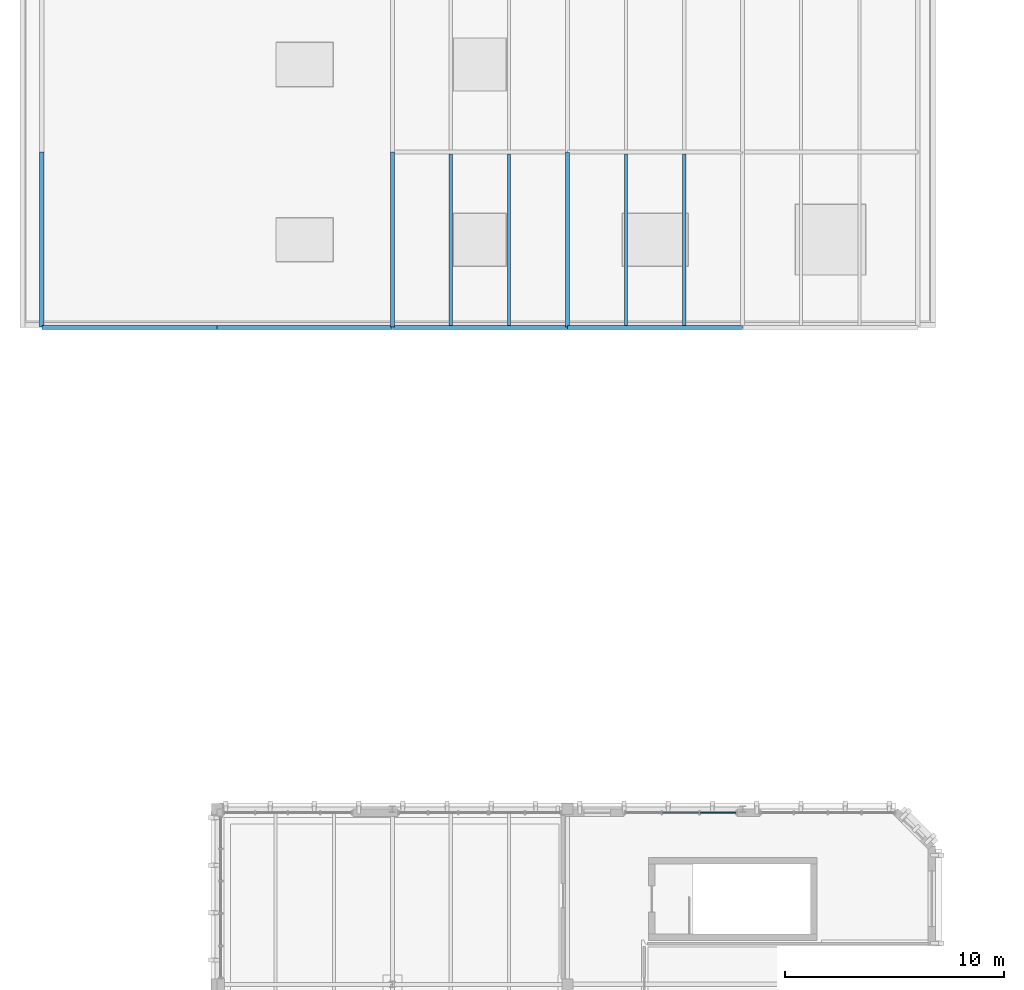
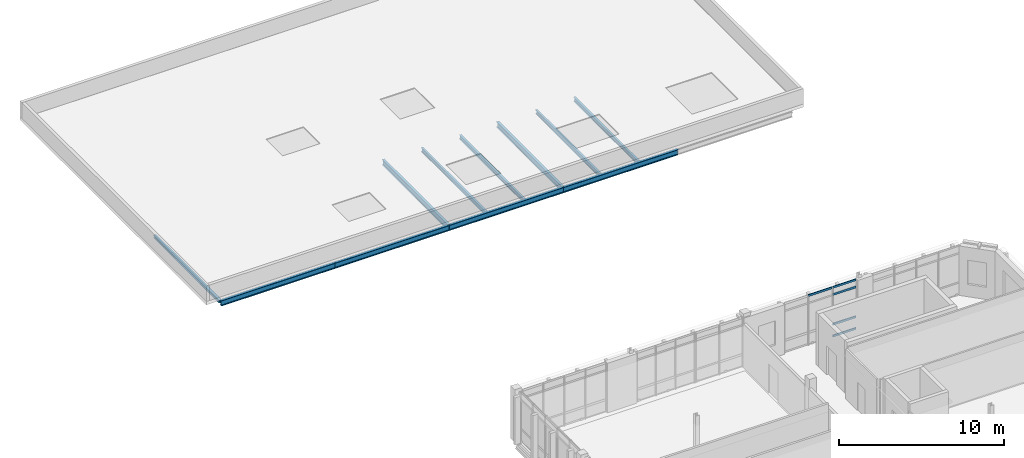
# One storey, part 7 of 28: 11 beams, 5 members, 1 element without a shape of its own.
"""IFC4 building model written with IfcOpenShell, lengths in metres."""

from ifc_helpers import new_model, si_unit, direction, frame, origin, origin_2d, place, context, subcontext, project, spatial, rectangle, i_section, extrude, material, material_profile, profile_set, type_object, element, aggregate, save


model = new_model("IFC4")

# Units and contexts
model_context = context("Model", 3, precision=1e-05, world=origin(), true_north=direction((0.0, 1.0)))
body_context = subcontext(model_context, "Body", "Model", "MODEL_VIEW")
ifc_project = project(units=[si_unit("LENGTHUNIT", "METRE"), si_unit("AREAUNIT", "SQUARE_METRE"), si_unit("VOLUMEUNIT", "CUBIC_METRE"), si_unit("PLANEANGLEUNIT", "RADIAN"), si_unit("MASSUNIT", "GRAM", prefix="KILO")], contexts=[model_context])

# Site, building, storey
site_placement = place(None, origin())
site = spatial("IfcSite", under=ifc_project, at=site_placement, CompositionType="ELEMENT")
building_placement = place(site_placement, origin())
building = spatial("IfcBuilding", under=site, at=building_placement, Name="Cymarion Research Institute", CompositionType="ELEMENT")
storey_placement = place(building_placement, frame((0.0, 0.0, 30.60009765625)))
storey = spatial("IfcBuildingStorey", under=building, at=storey_placement, Name="L07", CompositionType="ELEMENT", Elevation=30.60009765625)

# Curtain wall, members
ifc_material_1 = material(Name="Anodised aluminium unitised curtain wall with Low-E glazing", Category="aluminium")
curtain_wall_type = type_object("IfcCurtainWallType", Name="UNITISED CURTAIN WALL CW71 5150X3660", PredefinedType="NOTDEFINED", material=ifc_material_1)
curtain_wall_placement = place(storey_placement, origin())
curtain_wall = element("IfcCurtainWall", 1, at=curtain_wall_placement, inside=storey, type_object=curtain_wall_type, Name="L07 V4 unitised curtain wall CW71 #236", PredefinedType="NOTDEFINED")
ifc_material_2 = material(Name="Anodised aluminium framing", Category="aluminium")
ifc_material_profile_1 = material_profile(ifc_material_2, rectangle(XDim=0.06005859375, YDim=0.14990234375, at=origin_2d()), Name="ALU TRANSOM 60x150")
ifc_profile_set_1 = profile_set([ifc_material_profile_1], Name="Anodised aluminium framing")
member_type = type_object("IfcMemberType", Name="CURTAIN WALL TRANSOM TR01 60X150", PredefinedType="USERDEFINED", material=ifc_profile_set_1)
member_1_placement = place(storey_placement, frame((38.280029296875, 71.330078125, 0.02978515625), z_axis=(-1.0, 0.0, 0.0), x_axis=(0.0, -1.0, 0.0)))
member_1 = element("IfcMember", 2, at=member_1_placement, type_object=member_type, Name="CW71 transom 1.1", ObjectType="TRANSOM", PredefinedType="USERDEFINED", context=body_context, shape_type="SweptSolid", body=[
    extrude(rectangle(XDim=0.06005859375, YDim=0.14990234375, at=origin_2d()), origin(), (0.0, 0.0, 1.0), 1.6279296875),
])
member_2_placement = place(storey_placement, frame((38.280029296875, 71.330078125, 0.89990234375), z_axis=(-1.0, 0.0, 0.0), x_axis=(0.0, -1.0, 0.0)))
member_2 = element("IfcMember", 3, at=member_2_placement, type_object=member_type, Name="CW71 transom 1.2", ObjectType="TRANSOM", PredefinedType="USERDEFINED", context=body_context, shape_type="SweptSolid", body=[
    extrude(rectangle(XDim=0.06005859375, YDim=0.14990234375, at=origin_2d()), origin(), (0.0, 0.0, 1.0), 1.6279296875),
])
member_3_placement = place(storey_placement, frame((38.280029296875, 71.330078125, 3.10986328125), z_axis=(-1.0, 0.0, 0.0), x_axis=(0.0, -1.0, 0.0)))
member_3 = element("IfcMember", 4, at=member_3_placement, type_object=member_type, Name="CW71 transom 1.3", ObjectType="TRANSOM", PredefinedType="USERDEFINED", context=body_context, shape_type="SweptSolid", body=[
    extrude(rectangle(XDim=0.06005859375, YDim=0.14990234375, at=origin_2d()), origin(), (0.0, 0.0, 1.0), 1.6279296875),
])
member_4_placement = place(storey_placement, frame((38.280029296875, 71.330078125, 3.6298828125), z_axis=(-1.0, 0.0, 0.0), x_axis=(0.0, -1.0, 0.0)))
member_4 = element("IfcMember", 5, at=member_4_placement, type_object=member_type, Name="CW71 transom 1.4", ObjectType="TRANSOM", PredefinedType="USERDEFINED", context=body_context, shape_type="SweptSolid", body=[
    extrude(rectangle(XDim=0.06005859375, YDim=0.14990234375, at=origin_2d()), origin(), (0.0, 0.0, 1.0), 1.6279296875),
])
member_5_placement = place(storey_placement, frame((36.592041015625, 71.330078125, 3.6298828125), z_axis=(-1.0, 0.0, 0.0), x_axis=(0.0, -1.0, 0.0)))
member_5 = element("IfcMember", 6, at=member_5_placement, type_object=member_type, Name="CW71 transom 2.4", ObjectType="TRANSOM", PredefinedType="USERDEFINED", context=body_context, shape_type="SweptSolid", body=[
    extrude(rectangle(XDim=0.06005859375, YDim=0.14990234375, at=origin_2d()), origin(), (0.0, 0.0, 1.0), 1.657958984375),
])
aggregate(curtain_wall, [member_1, member_2, member_3, member_4, member_5])

# Beams
ifc_material_3 = material(Name="Steel S355", Category="steel")
ifc_material_profile_2 = material_profile(ifc_material_3, i_section(OverallWidth=0.179931640625, OverallDepth=0.39990234375, WebThickness=0.008544921875, FlangeThickness=0.013427734375, FilletRadius=0.02099609375, at=origin_2d()), Name="IPE 400")
ifc_profile_set_2 = profile_set([ifc_material_profile_2], Name="Steel S355")
beam_type_1 = type_object("IfcBeamType", Name="PRIMARY GIRDER BM05 IPE 400", PredefinedType="BEAM", material=ifc_profile_set_2)
for number, where, z_axis, x_axis, name in (
    (7, (6.60595703125, 93.5, -0.440185546875), (1.0, 0.0, 0.0), (0.0, 1.0, 0.0), "L07 V5 girder BM05 #2261"),
    (8, (14.60595703125, 93.5, -0.440185546875), (1.0, 0.0, 0.0), (0.0, 1.0, 0.0), "L07 V5 girder BM05 #2262"),
    (9, (22.60595703125, 93.5, -0.440185546875), (1.0, 0.0, 0.0), (0.0, 1.0, 0.0), "L07 V5 girder BM05 #2263"),
    (10, (30.60595703125, 93.5, -0.440185546875), (1.0, 0.0, 0.0), (0.0, 1.0, 0.0), "L07 V5 girder BM05 #2264"),
):
    element("IfcBeam", number, at=place(storey_placement, frame(where, z_axis=z_axis, x_axis=x_axis)), inside=storey, type_object=beam_type_1, Name=name, PredefinedType="BEAM", context=body_context, shape_type="SweptSolid", body=[
        extrude(i_section(OverallWidth=0.179931640625, OverallDepth=0.39990234375, WebThickness=0.008544921875, FlangeThickness=0.013427734375, FilletRadius=0.02099609375, at=origin_2d()), origin(), (0.0, 0.0, 1.0), 7.988037109375),
    ])
for number, where, z_axis, x_axis, name in (
    (11, (22.60009765625, 93.506103515625, -0.440185546875), (0.0, 1.0, 0.0), (-1.0, 0.0, 0.0), "L07 V5 girder BM05 #2283"),
    (12, (30.60009765625, 93.506103515625, -0.440185546875), (0.0, 1.0, 0.0), (-1.0, 0.0, 0.0), "L07 V5 girder BM05 #2286"),
):
    element("IfcBeam", number, at=place(storey_placement, frame(where, z_axis=z_axis, x_axis=x_axis)), inside=storey, type_object=beam_type_1, Name=name, PredefinedType="BEAM", context=body_context, shape_type="SweptSolid", body=[
        extrude(i_section(OverallWidth=0.179931640625, OverallDepth=0.39990234375, WebThickness=0.008544921875, FlangeThickness=0.013427734375, FilletRadius=0.02099609375, at=origin_2d()), origin(), (0.0, 0.0, 1.0), 7.98779296875),
    ])
ifc_material_profile_3 = material_profile(ifc_material_3, i_section(OverallWidth=0.14990234375, OverallDepth=0.300048828125, WebThickness=0.007080078125, FlangeThickness=0.0107421875, FilletRadius=0.014892578125, at=origin_2d()), Name="IPE 300")
ifc_profile_set_3 = profile_set([ifc_material_profile_3], Name="Steel S355")
beam_type_2 = type_object("IfcBeamType", Name="SECONDARY JOIST JS02 IPE 300", PredefinedType="JOIST", material=ifc_profile_set_3)
for number, where, z_axis, x_axis, name in (
    (13, (25.2666015625, 93.593994140625, -0.39013671875), (0.0, 1.0, 0.0), (-1.0, 0.0, 0.0), "L07 V5 secondary joist JS02 #2294"),
    (14, (27.933349609375, 93.593994140625, -0.39013671875), (0.0, 1.0, 0.0), (-1.0, 0.0, 0.0), "L07 V5 secondary joist JS02 #2295"),
    (15, (33.2666015625, 93.593994140625, -0.39013671875), (0.0, 1.0, 0.0), (-1.0, 0.0, 0.0), "L07 V5 secondary joist JS02 #2296"),
    (16, (35.933349609375, 93.593994140625, -0.39013671875), (0.0, 1.0, 0.0), (-1.0, 0.0, 0.0), "L07 V5 secondary joist JS02 #2297"),
):
    element("IfcBeam", number, at=place(storey_placement, frame(where, z_axis=z_axis, x_axis=x_axis)), inside=storey, type_object=beam_type_2, Name=name, PredefinedType="JOIST", context=body_context, shape_type="SweptSolid", body=[
        extrude(i_section(OverallWidth=0.14990234375, OverallDepth=0.300048828125, WebThickness=0.007080078125, FlangeThickness=0.0107421875, FilletRadius=0.014892578125, at=origin_2d()), origin(), (0.0, 0.0, 1.0), 7.81201171875),
    ])
ifc_material_profile_4 = material_profile(ifc_material_3, i_section(OverallWidth=0.199951171875, OverallDepth=0.18994140625, WebThickness=0.006591796875, FlangeThickness=0.010009765625, FilletRadius=0.01806640625, at=origin_2d()), Name="HEA 200")
ifc_profile_set_4 = profile_set([ifc_material_profile_4], Name="Steel S355")
beam_type_3 = type_object("IfcBeamType", Name="SPANDREL BEAM SPB04 HEA 200", PredefinedType="SPANDREL", material=ifc_profile_set_4)
beam_placement = place(storey_placement, frame((6.60009765625, 93.506103515625, -0.335205078125), z_axis=(0.0, 1.0, 0.0), x_axis=(-1.0, 0.0, 0.0)))
element("IfcBeam", 17, at=beam_placement, inside=storey, type_object=beam_type_3, Name="L07 V5 girder SPB04 #2279", PredefinedType="SPANDREL", context=body_context, shape_type="SweptSolid", body=[
    extrude(i_section(OverallWidth=0.199951171875, OverallDepth=0.18994140625, WebThickness=0.006591796875, FlangeThickness=0.010009765625, FilletRadius=0.01806640625, at=origin_2d()), origin(), (0.0, 0.0, 1.0), 7.98779296875),
])

save(model, "model.ifc")
